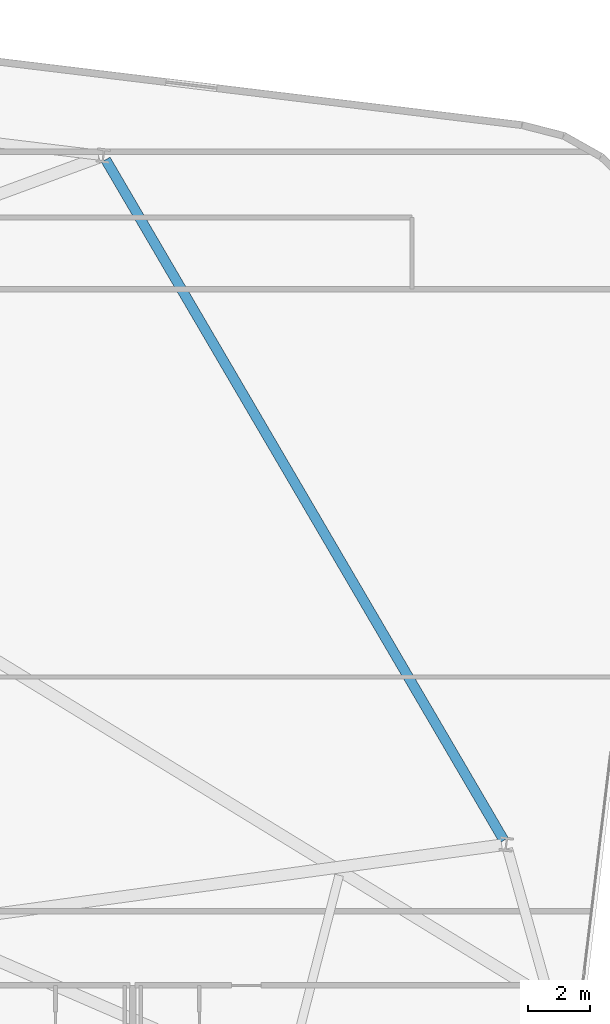
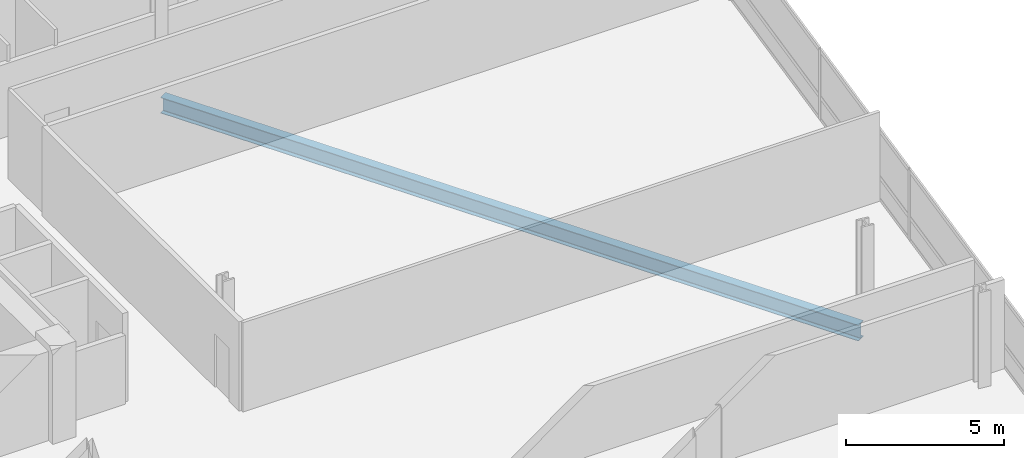
# One storey, part 17 of 26: 1 beam.
"""IFC4 building model written with IfcOpenShell, lengths in metres."""

from ifc_helpers import new_model, si_unit, direction, frame, origin, origin_2d, place, context, subcontext, project, spatial, i_section, extrude, material, material_profile, profile_set, type_object, element, save


model = new_model("IFC4")

# Units and contexts
model_context = context("Model", 3, precision=1e-05, world=origin(), true_north=direction((0.0, 1.0)))
body_context = subcontext(model_context, "Body", "Model", "MODEL_VIEW")
ifc_project = project(units=[si_unit("LENGTHUNIT", "METRE"), si_unit("AREAUNIT", "SQUARE_METRE"), si_unit("VOLUMEUNIT", "CUBIC_METRE"), si_unit("PLANEANGLEUNIT", "RADIAN"), si_unit("MASSUNIT", "GRAM", prefix="KILO")], contexts=[model_context])

# Site, building, storey
site_placement = place(None, origin())
site = spatial("IfcSite", under=ifc_project, at=site_placement, CompositionType="ELEMENT")
building_placement = place(site_placement, origin())
building = spatial("IfcBuilding", under=site, at=building_placement, Name="Varnelok Gate Tower", CompositionType="ELEMENT")
storey_placement = place(building_placement, frame((0.0, 0.0, 143.89990234375)))
storey = spatial("IfcBuildingStorey", under=building, at=storey_placement, Name="L36", CompositionType="ELEMENT", Elevation=143.89990234375)

# Beam
ifc_material = material(Name="Structural Steel ASTM A992 Grade 50", Category="steel")
ifc_material_profile = material_profile(ifc_material, i_section(OverallWidth=0.323974609375, OverallDepth=0.611083984375, WebThickness=0.0126953125, FlangeThickness=0.01904296875, FilletRadius=0.01806640625, at=origin_2d()), Name="W24X104")
ifc_profile_set = profile_set([ifc_material_profile], Name="Structural Steel ASTM A992 Grade 50")
beam_type = type_object("IfcBeamType", Name="BM-SPN-W24X104", PredefinedType="SPANDREL", material=ifc_profile_set)
beam_placement = place(storey_placement, frame((72.96875, 21.528076171875, -0.555419921875), z_axis=(-0.504960797965, 0.863142278259, 0.0), x_axis=(-0.863142278259, -0.504960797965, 0.0)))
element("IfcBeam", 1, at=beam_placement, inside=storey, type_object=beam_type, Name="L36 Perimeter Spandrel Beam 8", PredefinedType="SPANDREL", context=body_context, shape_type="SweptSolid", body=[
    extrude(i_section(OverallWidth=0.323974609375, OverallDepth=0.611083984375, WebThickness=0.0126953125, FlangeThickness=0.01904296875, FilletRadius=0.01806640625, at=origin_2d()), origin(), (0.0, 0.0, 1.0), 25.425537109375),
])

save(model, "model.ifc")
